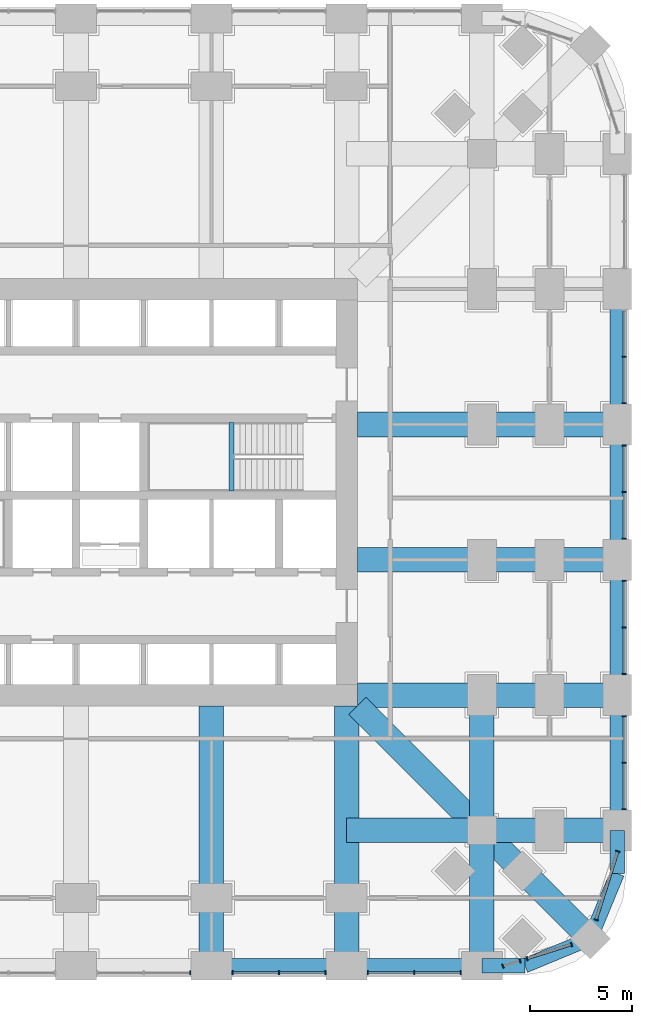
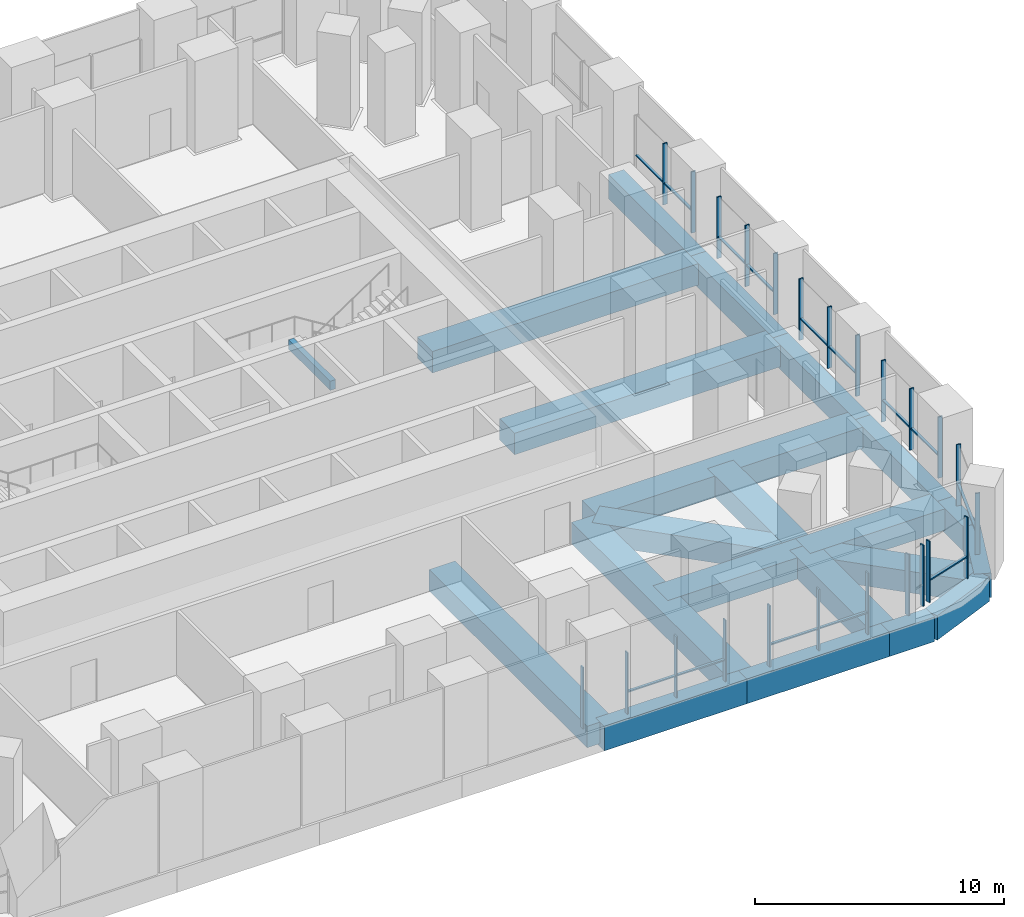
# One storey, part 4 of 17: 38 members, 22 beams, 10 elements without a shape of their own.
"""IFC4 building model written with IfcOpenShell, lengths in metres."""

from ifc_helpers import new_model, si_unit, direction, frame, origin, origin_2d, place, context, subcontext, project, spatial, rectangle, extrude, material, material_profile, profile_set, type_object, element, aggregate, save


model = new_model("IFC4")

# Units and contexts
model_context = context("Model", 3, precision=1e-05, world=origin(), true_north=direction((0.0, 1.0)))
body_context = subcontext(model_context, "Body", "Model", "MODEL_VIEW")
ifc_project = project(units=[si_unit("LENGTHUNIT", "METRE"), si_unit("AREAUNIT", "SQUARE_METRE"), si_unit("VOLUMEUNIT", "CUBIC_METRE"), si_unit("PLANEANGLEUNIT", "RADIAN"), si_unit("MASSUNIT", "GRAM", prefix="KILO")], contexts=[model_context])

# Site, building, storey
site_placement = place(None, origin())
site = spatial("IfcSite", under=ifc_project, at=site_placement, CompositionType="ELEMENT")
building_placement = place(site_placement, origin())
building = spatial("IfcBuilding", under=site, at=building_placement, Name="Cobogo Forest Laboratory Tower", CompositionType="ELEMENT")
storey_placement = place(building_placement, frame((0.0, 0.0, 12.60009765625)))
storey = spatial("IfcBuildingStorey", under=building, at=storey_placement, Name="L02", CompositionType="ELEMENT", Elevation=12.60009765625)

# Beams
ifc_material_1 = material(Name="Concrete HA-40 (C40/50)", Category="concrete")
ifc_material_profile_1 = material_profile(ifc_material_1, rectangle(XDim=0.25, YDim=0.449951171875, at=origin_2d()), Name="RC 250x450")
ifc_profile_set_1 = profile_set([ifc_material_profile_1], Name="Concrete HA-40 (C40/50)")
beam_type_1 = type_object("IfcBeamType", Name="LB1 landing beam 250x450", PredefinedType="BEAM", material=ifc_profile_set_1)
beam_1_placement = place(storey_placement, frame((33.989990234375, 23.14990234375, 1.824951171875), z_axis=(0.0, 1.0, 0.0), x_axis=(-1.0, 0.0, 0.0)))
element("IfcBeam", 1, at=beam_1_placement, inside=storey, type_object=beam_type_1, Name="Landing beam ST2 L02", PredefinedType="BEAM", context=body_context, shape_type="SweptSolid", body=[
    extrude(rectangle(XDim=0.25, YDim=0.449951171875, at=origin_2d()), origin(), (0.0, 0.0, 1.0), 3.35009765625),
])
ifc_material_profile_2 = material_profile(ifc_material_1, rectangle(XDim=1.199951171875, YDim=1.050048828125, at=origin_2d()), Name="RC 1200x1050")
ifc_profile_set_2 = profile_set([ifc_material_profile_2], Name="Concrete HA-40 (C40/50)")
beam_type_2 = type_object("IfcBeamType", Name="Laboratory floor wide beam 1200x1050", PredefinedType="BEAM", material=ifc_profile_set_2)
for number, where, z_axis, x_axis, name in (
    (2, (33.0, 12.675048828125, -0.8251953125), (0.0, -1.0, 0.0), (1.0, 0.0, 0.0), "RB1 R-6-S L02"),
    (3, (39.60009765625, 12.675048828125, -0.8251953125), (0.0, -1.0, 0.0), (1.0, 0.0, 0.0), "RB1 R-7-S L02"),
    (4, (40.125, 13.199951171875, -0.8251953125), (1.0, 0.0, 0.0), (0.0, 1.0, 0.0), "RB1 R-C-E L02"),
    (5, (40.125, 19.800048828125, -0.8251953125), (1.0, 0.0, 0.0), (0.0, 1.0, 0.0), "RB1 R-D-E L02"),
    (6, (40.125, 26.39990234375, -0.8251953125), (1.0, 0.0, 0.0), (0.0, 1.0, 0.0), "RB1 R-E-E L02"),
):
    element("IfcBeam", number, at=place(storey_placement, frame(where, z_axis=z_axis, x_axis=x_axis)), inside=storey, type_object=beam_type_2, Name=name, PredefinedType="BEAM", context=body_context, shape_type="SweptSolid", body=[
        extrude(rectangle(XDim=1.199951171875, YDim=1.050048828125, at=origin_2d()), origin(), (0.0, 0.0, 1.0), 12.675048828125),
    ])
beam_2_placement = place(storey_placement, frame((46.199951171875, 0.0, -0.8251953125), z_axis=(0.0, 1.0, 0.0), x_axis=(-1.0, 0.0, 0.0)))
element("IfcBeam", 7, at=beam_2_placement, inside=storey, type_object=beam_type_2, Name="RB1 G-SE-XF L02", PredefinedType="BEAM", context=body_context, shape_type="SweptSolid", body=[
    extrude(rectangle(XDim=1.199951171875, YDim=1.050048828125, at=origin_2d()), origin(), (0.0, 0.0, 1.0), 6.60009765625),
])
beam_3_placement = place(storey_placement, frame((46.199951171875, 6.60009765625, -0.8251953125), z_axis=(0.0, 1.0, 0.0), x_axis=(-1.0, 0.0, 0.0)))
element("IfcBeam", 8, at=beam_3_placement, inside=storey, type_object=beam_type_2, Name="RB1 G-SE-XC L02", PredefinedType="BEAM", context=body_context, shape_type="SweptSolid", body=[
    extrude(rectangle(XDim=1.199951171875, YDim=1.050048828125, at=origin_2d()), origin(), (0.0, 0.0, 1.0), 6.599853515625),
])
beam_4_placement = place(storey_placement, frame((52.800048828125, 6.60009765625, -0.8251953125), z_axis=(-1.0, 0.0, 0.0), x_axis=(0.0, -1.0, 0.0)))
element("IfcBeam", 9, at=beam_4_placement, inside=storey, type_object=beam_type_2, Name="RB1 G-SE-YF L02", PredefinedType="BEAM", context=body_context, shape_type="SweptSolid", body=[
    extrude(rectangle(XDim=1.199951171875, YDim=1.050048828125, at=origin_2d()), origin(), (0.0, 0.0, 1.0), 6.60009765625),
])
beam_5_placement = place(storey_placement, frame((46.199951171875, 6.60009765625, -0.8251953125), z_axis=(-1.0, 0.0, 0.0), x_axis=(0.0, -1.0, 0.0)))
element("IfcBeam", 10, at=beam_5_placement, inside=storey, type_object=beam_type_2, Name="RB1 G-SE-YC L02", PredefinedType="BEAM", context=body_context, shape_type="SweptSolid", body=[
    extrude(rectangle(XDim=1.199951171875, YDim=1.050048828125, at=origin_2d()), origin(), (0.0, 0.0, 1.0), 6.599853515625),
])
beam_6_placement = place(storey_placement, frame((51.48193359375, 1.318115234375, -0.8251953125), z_axis=(-0.707106781187, 0.707106781187, 0.0), x_axis=(-0.707106781187, -0.707106781187, 0.0)))
element("IfcBeam", 11, at=beam_6_placement, inside=storey, type_object=beam_type_2, Name="RB1 G-SE-D1 L02", PredefinedType="BEAM", context=body_context, shape_type="SweptSolid", body=[
    extrude(rectangle(XDim=1.199951171875, YDim=1.050048828125, at=origin_2d()), origin(), (0.0, 0.0, 1.0), 7.469970703125),
])
beam_7_placement = place(storey_placement, frame((46.199951171875, 6.60009765625, -0.8251953125), z_axis=(-0.707106781187, 0.707106781187, 0.0), x_axis=(-0.707106781187, -0.707106781187, 0.0)))
element("IfcBeam", 12, at=beam_7_placement, inside=storey, type_object=beam_type_2, Name="RB1 G-SE-D2 L02", PredefinedType="BEAM", context=body_context, shape_type="SweptSolid", body=[
    extrude(rectangle(XDim=1.199951171875, YDim=1.050048828125, at=origin_2d()), origin(), (0.0, 0.0, 1.0), 8.59130859375),
])

# Curtain wall, member
ifc_material_2 = material(Name="Aluminium curtain wall", Category="aluminium")
curtain_wall_type = type_object("IfcCurtainWallType", Name="CW-K stick curtain wall, podium laboratories", PredefinedType="USERDEFINED", material=ifc_material_2)
curtain_wall_1_placement = place(storey_placement, origin())
curtain_wall_1 = element("IfcCurtainWall", 13, at=curtain_wall_1_placement, inside=storey, type_object=curtain_wall_type, Name="Curtain wall 04 L02", ObjectType="STICK CURTAIN WALL", PredefinedType="USERDEFINED")
ifc_material_3 = material(Name="Aluminium mullion", Category="aluminium")
ifc_material_profile_3 = material_profile(ifc_material_3, rectangle(XDim=0.06005859375, YDim=0.199951171875, at=origin_2d()), Name="AL 60x200")
ifc_profile_set_3 = profile_set([ifc_material_profile_3], Name="Aluminium mullion")
member_type_1 = type_object("IfcMemberType", Name="MU-2 aluminium mullion 60x200", PredefinedType="MULLION", material=ifc_profile_set_3)
member_1_placement = place(storey_placement, frame((31.969970703125, -0.35009765625, 0.0), z_axis=(0.0, 0.0, 1.0), x_axis=(1.0, 0.0, 0.0)))
member_1 = element("IfcMember", 14, at=member_1_placement, type_object=member_type_1, Name="CW-K mullion 3", PredefinedType="MULLION", context=body_context, shape_type="SweptSolid", body=[
    extrude(rectangle(XDim=0.06005859375, YDim=0.199951171875, at=origin_2d()), origin(), (0.0, 0.0, 1.0), 3.0),
])
aggregate(curtain_wall_1, [member_1])

# Curtain wall, members
curtain_wall_2_placement = place(storey_placement, origin())
curtain_wall_2 = element("IfcCurtainWall", 15, at=curtain_wall_2_placement, inside=storey, type_object=curtain_wall_type, Name="Curtain wall 05 L02", ObjectType="STICK CURTAIN WALL", PredefinedType="USERDEFINED")
member_2_placement = place(storey_placement, frame((34.030029296875, -0.35009765625, 0.0), z_axis=(0.0, 0.0, 1.0), x_axis=(1.0, 0.0, 0.0)))
member_2 = element("IfcMember", 16, at=member_2_placement, type_object=member_type_1, Name="CW-K mullion 1", PredefinedType="MULLION", context=body_context, shape_type="SweptSolid", body=[
    extrude(rectangle(XDim=0.06005859375, YDim=0.199951171875, at=origin_2d()), origin(), (0.0, 0.0, 1.0), 3.0),
])
member_3_placement = place(storey_placement, frame((36.300048828125, -0.35009765625, 0.0), z_axis=(0.0, 0.0, 1.0), x_axis=(1.0, 0.0, 0.0)))
member_3 = element("IfcMember", 17, at=member_3_placement, type_object=member_type_1, Name="CW-K mullion 2", PredefinedType="MULLION", context=body_context, shape_type="SweptSolid", body=[
    extrude(rectangle(XDim=0.06005859375, YDim=0.199951171875, at=origin_2d()), origin(), (0.0, 0.0, 1.0), 3.0),
])
member_4_placement = place(storey_placement, frame((38.570068359375, -0.35009765625, 0.0), z_axis=(0.0, 0.0, 1.0), x_axis=(1.0, 0.0, 0.0)))
member_4 = element("IfcMember", 18, at=member_4_placement, type_object=member_type_1, Name="CW-K mullion 3", PredefinedType="MULLION", context=body_context, shape_type="SweptSolid", body=[
    extrude(rectangle(XDim=0.06005859375, YDim=0.199951171875, at=origin_2d()), origin(), (0.0, 0.0, 1.0), 3.0),
])

curtain_wall_3_placement = place(storey_placement, origin())
curtain_wall_3 = element("IfcCurtainWall", 19, at=curtain_wall_3_placement, inside=storey, type_object=curtain_wall_type, Name="Curtain wall 06 L02", ObjectType="STICK CURTAIN WALL", PredefinedType="USERDEFINED")
member_5_placement = place(storey_placement, frame((40.6298828125, -0.35009765625, 0.0), z_axis=(0.0, 0.0, 1.0), x_axis=(1.0, 0.0, 0.0)))
member_5 = element("IfcMember", 20, at=member_5_placement, type_object=member_type_1, Name="CW-K mullion 1", PredefinedType="MULLION", context=body_context, shape_type="SweptSolid", body=[
    extrude(rectangle(XDim=0.06005859375, YDim=0.199951171875, at=origin_2d()), origin(), (0.0, 0.0, 1.0), 3.0),
])
member_6_placement = place(storey_placement, frame((42.89990234375, -0.35009765625, 0.0), z_axis=(0.0, 0.0, 1.0), x_axis=(1.0, 0.0, 0.0)))
member_6 = element("IfcMember", 21, at=member_6_placement, type_object=member_type_1, Name="CW-K mullion 2", PredefinedType="MULLION", context=body_context, shape_type="SweptSolid", body=[
    extrude(rectangle(XDim=0.06005859375, YDim=0.199951171875, at=origin_2d()), origin(), (0.0, 0.0, 1.0), 3.0),
])
member_7_placement = place(storey_placement, frame((45.169921875, -0.35009765625, 0.0), z_axis=(0.0, 0.0, 1.0), x_axis=(1.0, 0.0, 0.0)))
member_7 = element("IfcMember", 22, at=member_7_placement, type_object=member_type_1, Name="CW-K mullion 3", PredefinedType="MULLION", context=body_context, shape_type="SweptSolid", body=[
    extrude(rectangle(XDim=0.06005859375, YDim=0.199951171875, at=origin_2d()), origin(), (0.0, 0.0, 1.0), 3.0),
])

curtain_wall_4_placement = place(storey_placement, origin())
curtain_wall_4 = element("IfcCurtainWall", 23, at=curtain_wall_4_placement, inside=storey, type_object=curtain_wall_type, Name="Curtain wall 07 L02", ObjectType="STICK CURTAIN WALL", PredefinedType="USERDEFINED")
member_8_placement = place(storey_placement, frame((47.228515625, -0.025146484375, 0.0), z_axis=(0.0, 0.0, 1.0), x_axis=(0.953581406818, 0.301135352577, 0.0)))
member_8 = element("IfcMember", 24, at=member_8_placement, type_object=member_type_1, Name="CW-K mullion 1", PredefinedType="MULLION", context=body_context, shape_type="SweptSolid", body=[
    extrude(rectangle(XDim=0.06005859375, YDim=0.199951171875, at=origin_2d()), origin(), (0.0, 0.0, 1.0), 3.0),
])
member_9_placement = place(storey_placement, frame((48.05322265625, 0.2353515625, 0.0), z_axis=(0.0, 0.0, 1.0), x_axis=(0.953581406818, 0.301135352577, 0.0)))
member_9 = element("IfcMember", 25, at=member_9_placement, type_object=member_type_1, Name="CW-K mullion 2", PredefinedType="MULLION", context=body_context, shape_type="SweptSolid", body=[
    extrude(rectangle(XDim=0.06005859375, YDim=0.199951171875, at=origin_2d()), origin(), (0.0, 0.0, 1.0), 3.0),
])
aggregate(curtain_wall_4, [member_8, member_9])

curtain_wall_5_placement = place(storey_placement, origin())
curtain_wall_5 = element("IfcCurtainWall", 26, at=curtain_wall_5_placement, inside=storey, type_object=curtain_wall_type, Name="Curtain wall 08 L02", ObjectType="STICK CURTAIN WALL", PredefinedType="USERDEFINED")
member_10_placement = place(storey_placement, frame((48.403076171875, 0.345703125, 0.0), z_axis=(0.0, 0.0, 1.0), x_axis=(0.953581409645, 0.301135343623, 0.0)))
member_10 = element("IfcMember", 27, at=member_10_placement, type_object=member_type_1, Name="CW-K mullion 1", PredefinedType="MULLION", context=body_context, shape_type="SweptSolid", body=[
    extrude(rectangle(XDim=0.06005859375, YDim=0.199951171875, at=origin_2d()), origin(), (0.0, 0.0, 1.0), 3.0),
])
member_11_placement = place(storey_placement, frame((50.561279296875, 1.02734375, 0.0), z_axis=(0.0, 0.0, 1.0), x_axis=(0.953581409645, 0.301135343623, 0.0)))
member_11 = element("IfcMember", 28, at=member_11_placement, type_object=member_type_1, Name="CW-K mullion 2", PredefinedType="MULLION", context=body_context, shape_type="SweptSolid", body=[
    extrude(rectangle(XDim=0.06005859375, YDim=0.199951171875, at=origin_2d()), origin(), (0.0, 0.0, 1.0), 3.0),
])

curtain_wall_6_placement = place(storey_placement, origin())
curtain_wall_6 = element("IfcCurtainWall", 29, at=curtain_wall_6_placement, inside=storey, type_object=curtain_wall_type, Name="Curtain wall 09 L02", ObjectType="STICK CURTAIN WALL", PredefinedType="USERDEFINED")
member_12_placement = place(storey_placement, frame((51.772705078125, 2.23876953125, 0.0), z_axis=(0.0, 0.0, 1.0), x_axis=(0.301135433696, 0.953581381201, 0.0)))
member_12 = element("IfcMember", 30, at=member_12_placement, type_object=member_type_1, Name="CW-K mullion 1", PredefinedType="MULLION", context=body_context, shape_type="SweptSolid", body=[
    extrude(rectangle(XDim=0.06005859375, YDim=0.199951171875, at=origin_2d()), origin(), (0.0, 0.0, 1.0), 3.0),
])
member_13_placement = place(storey_placement, frame((52.8251953125, 5.5712890625, 0.0), z_axis=(0.0, 0.0, 1.0), x_axis=(0.301135433696, 0.953581381201, 0.0)))
member_13 = element("IfcMember", 31, at=member_13_placement, type_object=member_type_1, Name="CW-K mullion 2", PredefinedType="MULLION", context=body_context, shape_type="SweptSolid", body=[
    extrude(rectangle(XDim=0.06005859375, YDim=0.199951171875, at=origin_2d()), origin(), (0.0, 0.0, 1.0), 3.0),
])

curtain_wall_7_placement = place(storey_placement, origin())
curtain_wall_7 = element("IfcCurtainWall", 32, at=curtain_wall_7_placement, inside=storey, type_object=curtain_wall_type, Name="Curtain wall 10 L02", ObjectType="STICK CURTAIN WALL", PredefinedType="USERDEFINED")
member_14_placement = place(storey_placement, frame((53.14990234375, 7.6298828125, 0.0), z_axis=(0.0, 0.0, 1.0), x_axis=(0.0, 1.0, 0.0)))
member_14 = element("IfcMember", 33, at=member_14_placement, type_object=member_type_1, Name="CW-K mullion 1", PredefinedType="MULLION", context=body_context, shape_type="SweptSolid", body=[
    extrude(rectangle(XDim=0.06005859375, YDim=0.199951171875, at=origin_2d()), origin(), (0.0, 0.0, 1.0), 3.0),
])
member_15_placement = place(storey_placement, frame((53.14990234375, 9.89990234375, 0.0), z_axis=(0.0, 0.0, 1.0), x_axis=(0.0, 1.0, 0.0)))
member_15 = element("IfcMember", 34, at=member_15_placement, type_object=member_type_1, Name="CW-K mullion 2", PredefinedType="MULLION", context=body_context, shape_type="SweptSolid", body=[
    extrude(rectangle(XDim=0.06005859375, YDim=0.199951171875, at=origin_2d()), origin(), (0.0, 0.0, 1.0), 3.0),
])
member_16_placement = place(storey_placement, frame((53.14990234375, 12.169921875, 0.0), z_axis=(0.0, 0.0, 1.0), x_axis=(0.0, 1.0, 0.0)))
member_16 = element("IfcMember", 35, at=member_16_placement, type_object=member_type_1, Name="CW-K mullion 3", PredefinedType="MULLION", context=body_context, shape_type="SweptSolid", body=[
    extrude(rectangle(XDim=0.06005859375, YDim=0.199951171875, at=origin_2d()), origin(), (0.0, 0.0, 1.0), 3.0),
])

curtain_wall_8_placement = place(storey_placement, origin())
curtain_wall_8 = element("IfcCurtainWall", 36, at=curtain_wall_8_placement, inside=storey, type_object=curtain_wall_type, Name="Curtain wall 11 L02", ObjectType="STICK CURTAIN WALL", PredefinedType="USERDEFINED")
member_17_placement = place(storey_placement, frame((53.14990234375, 14.22998046875, 0.0), z_axis=(0.0, 0.0, 1.0), x_axis=(0.0, 1.0, 0.0)))
member_17 = element("IfcMember", 37, at=member_17_placement, type_object=member_type_1, Name="CW-K mullion 1", PredefinedType="MULLION", context=body_context, shape_type="SweptSolid", body=[
    extrude(rectangle(XDim=0.06005859375, YDim=0.199951171875, at=origin_2d()), origin(), (0.0, 0.0, 1.0), 3.0),
])
member_18_placement = place(storey_placement, frame((53.14990234375, 16.5, 0.0), z_axis=(0.0, 0.0, 1.0), x_axis=(0.0, 1.0, 0.0)))
member_18 = element("IfcMember", 38, at=member_18_placement, type_object=member_type_1, Name="CW-K mullion 2", PredefinedType="MULLION", context=body_context, shape_type="SweptSolid", body=[
    extrude(rectangle(XDim=0.06005859375, YDim=0.199951171875, at=origin_2d()), origin(), (0.0, 0.0, 1.0), 3.0),
])
member_19_placement = place(storey_placement, frame((53.14990234375, 18.77001953125, 0.0), z_axis=(0.0, 0.0, 1.0), x_axis=(0.0, 1.0, 0.0)))
member_19 = element("IfcMember", 39, at=member_19_placement, type_object=member_type_1, Name="CW-K mullion 3", PredefinedType="MULLION", context=body_context, shape_type="SweptSolid", body=[
    extrude(rectangle(XDim=0.06005859375, YDim=0.199951171875, at=origin_2d()), origin(), (0.0, 0.0, 1.0), 3.0),
])

curtain_wall_9_placement = place(storey_placement, origin())
curtain_wall_9 = element("IfcCurtainWall", 40, at=curtain_wall_9_placement, inside=storey, type_object=curtain_wall_type, Name="Curtain wall 12 L02", ObjectType="STICK CURTAIN WALL", PredefinedType="USERDEFINED")
member_20_placement = place(storey_placement, frame((53.14990234375, 20.830078125, 0.0), z_axis=(0.0, 0.0, 1.0), x_axis=(0.0, 1.0, 0.0)))
member_20 = element("IfcMember", 41, at=member_20_placement, type_object=member_type_1, Name="CW-K mullion 1", PredefinedType="MULLION", context=body_context, shape_type="SweptSolid", body=[
    extrude(rectangle(XDim=0.06005859375, YDim=0.199951171875, at=origin_2d()), origin(), (0.0, 0.0, 1.0), 3.0),
])
member_21_placement = place(storey_placement, frame((53.14990234375, 23.10009765625, 0.0), z_axis=(0.0, 0.0, 1.0), x_axis=(0.0, 1.0, 0.0)))
member_21 = element("IfcMember", 42, at=member_21_placement, type_object=member_type_1, Name="CW-K mullion 2", PredefinedType="MULLION", context=body_context, shape_type="SweptSolid", body=[
    extrude(rectangle(XDim=0.06005859375, YDim=0.199951171875, at=origin_2d()), origin(), (0.0, 0.0, 1.0), 3.0),
])
member_22_placement = place(storey_placement, frame((53.14990234375, 25.3701171875, 0.0), z_axis=(0.0, 0.0, 1.0), x_axis=(0.0, 1.0, 0.0)))
member_22 = element("IfcMember", 43, at=member_22_placement, type_object=member_type_1, Name="CW-K mullion 3", PredefinedType="MULLION", context=body_context, shape_type="SweptSolid", body=[
    extrude(rectangle(XDim=0.06005859375, YDim=0.199951171875, at=origin_2d()), origin(), (0.0, 0.0, 1.0), 3.0),
])

curtain_wall_10_placement = place(storey_placement, origin())
curtain_wall_10 = element("IfcCurtainWall", 44, at=curtain_wall_10_placement, inside=storey, type_object=curtain_wall_type, Name="Curtain wall 13 L02", ObjectType="STICK CURTAIN WALL", PredefinedType="USERDEFINED")
member_23_placement = place(storey_placement, frame((53.14990234375, 27.429931640625, 0.0), z_axis=(0.0, 0.0, 1.0), x_axis=(0.0, 1.0, 0.0)))
member_23 = element("IfcMember", 45, at=member_23_placement, type_object=member_type_1, Name="CW-K mullion 1", PredefinedType="MULLION", context=body_context, shape_type="SweptSolid", body=[
    extrude(rectangle(XDim=0.06005859375, YDim=0.199951171875, at=origin_2d()), origin(), (0.0, 0.0, 1.0), 3.0),
])
member_24_placement = place(storey_placement, frame((53.14990234375, 29.699951171875, 0.0), z_axis=(0.0, 0.0, 1.0), x_axis=(0.0, 1.0, 0.0)))
member_24 = element("IfcMember", 46, at=member_24_placement, type_object=member_type_1, Name="CW-K mullion 2", PredefinedType="MULLION", context=body_context, shape_type="SweptSolid", body=[
    extrude(rectangle(XDim=0.06005859375, YDim=0.199951171875, at=origin_2d()), origin(), (0.0, 0.0, 1.0), 3.0),
])

# Beams
ifc_material_profile_4 = material_profile(ifc_material_1, rectangle(XDim=0.699951171875, YDim=1.199951171875, at=origin_2d()), Name="RC 700x1200")
ifc_profile_set_4 = profile_set([ifc_material_profile_4], Name="Concrete HA-40 (C40/50)")
beam_type_3 = type_object("IfcBeamType", Name="Perimeter edge beam 700x1200", PredefinedType="BEAM", material=ifc_profile_set_4)
beam_8_placement = place(storey_placement, frame((33.0, 0.0, -0.900146484375), z_axis=(1.0, 0.0, 0.0), x_axis=(0.0, 1.0, 0.0)))
element("IfcBeam", 47, at=beam_8_placement, inside=storey, type_object=beam_type_3, Name="EB1 E-S5 L02", PredefinedType="BEAM", context=body_context, shape_type="SweptSolid", body=[
    extrude(rectangle(XDim=0.699951171875, YDim=1.199951171875, at=origin_2d()), origin(), (0.0, 0.0, 1.0), 6.60009765625),
])
for number, where, z_axis, x_axis, name in (
    (48, (39.60009765625, 0.0, -0.900146484375), (1.0, 0.0, 0.0), (0.0, 1.0, 0.0), "EB1 E-S6 L02"),
    (49, (52.800048828125, 6.60009765625, -0.900146484375), (0.0, 1.0, 0.0), (-1.0, 0.0, 0.0), "EB1 E-E1 L02"),
):
    element("IfcBeam", number, at=place(storey_placement, frame(where, z_axis=z_axis, x_axis=x_axis)), inside=storey, type_object=beam_type_3, Name=name, PredefinedType="BEAM", context=body_context, shape_type="SweptSolid", body=[
        extrude(rectangle(XDim=0.699951171875, YDim=1.199951171875, at=origin_2d()), origin(), (0.0, 0.0, 1.0), 6.599853515625),
    ])
beam_9_placement = place(storey_placement, frame((52.800048828125, 13.199951171875, -0.900146484375), z_axis=(0.0, 1.0, 0.0), x_axis=(-1.0, 0.0, 0.0)))
element("IfcBeam", 50, at=beam_9_placement, inside=storey, type_object=beam_type_3, Name="EB1 E-E2 L02", PredefinedType="BEAM", context=body_context, shape_type="SweptSolid", body=[
    extrude(rectangle(XDim=0.699951171875, YDim=1.199951171875, at=origin_2d()), origin(), (0.0, 0.0, 1.0), 6.60009765625),
])
beam_10_placement = place(storey_placement, frame((52.800048828125, 19.800048828125, -0.900146484375), z_axis=(0.0, 1.0, 0.0), x_axis=(-1.0, 0.0, 0.0)))
element("IfcBeam", 51, at=beam_10_placement, inside=storey, type_object=beam_type_3, Name="EB1 E-E3 L02", PredefinedType="BEAM", context=body_context, shape_type="SweptSolid", body=[
    extrude(rectangle(XDim=0.699951171875, YDim=1.199951171875, at=origin_2d()), origin(), (0.0, 0.0, 1.0), 6.599853515625),
])
beam_11_placement = place(storey_placement, frame((52.800048828125, 26.39990234375, -0.900146484375), z_axis=(0.0, 1.0, 0.0), x_axis=(-1.0, 0.0, 0.0)))
element("IfcBeam", 52, at=beam_11_placement, inside=storey, type_object=beam_type_3, Name="EB1 E-E4 L02", PredefinedType="BEAM", context=body_context, shape_type="SweptSolid", body=[
    extrude(rectangle(XDim=0.699951171875, YDim=1.199951171875, at=origin_2d()), origin(), (0.0, 0.0, 1.0), 6.60009765625),
])
beam_12_placement = place(storey_placement, frame((46.199951171875, 0.0, -0.900146484375), z_axis=(1.0, 0.0, 0.0), x_axis=(0.0, 1.0, 0.0)))
element("IfcBeam", 53, at=beam_12_placement, inside=storey, type_object=beam_type_3, Name="EB1 E-SES1 L02", PredefinedType="BEAM", context=body_context, shape_type="SweptSolid", body=[
    extrude(rectangle(XDim=0.699951171875, YDim=1.199951171875, at=origin_2d()), origin(), (0.0, 0.0, 1.0), 2.10009765625),
])
beam_13_placement = place(storey_placement, frame((48.300048828125, 0.0, -0.900146484375), z_axis=(0.923865631356, 0.382716990999, 0.0), x_axis=(-0.382716990999, 0.923865631356, 0.0)))
element("IfcBeam", 54, at=beam_13_placement, inside=storey, type_object=beam_type_3, Name="EB1 E-SES2 L02", PredefinedType="BEAM", context=body_context, shape_type="SweptSolid", body=[
    extrude(rectangle(XDim=0.699951171875, YDim=1.199951171875, at=origin_2d()), origin(), (0.0, 0.0, 1.0), 3.444091796875),
])
beam_14_placement = place(storey_placement, frame((52.800048828125, 6.60009765625, -0.900146484375), z_axis=(0.0, -1.0, 0.0), x_axis=(1.0, 0.0, 0.0)))
element("IfcBeam", 55, at=beam_14_placement, inside=storey, type_object=beam_type_3, Name="EB1 E-SEE1 L02", PredefinedType="BEAM", context=body_context, shape_type="SweptSolid", body=[
    extrude(rectangle(XDim=0.699951171875, YDim=1.199951171875, at=origin_2d()), origin(), (0.0, 0.0, 1.0), 2.10009765625),
])
beam_15_placement = place(storey_placement, frame((52.800048828125, 4.5, -0.900146484375), z_axis=(-0.382716990999, -0.923865631356, 0.0), x_axis=(0.923865631356, -0.382716990999, 0.0)))
element("IfcBeam", 56, at=beam_15_placement, inside=storey, type_object=beam_type_3, Name="EB1 E-SEE2 L02", PredefinedType="BEAM", context=body_context, shape_type="SweptSolid", body=[
    extrude(rectangle(XDim=0.699951171875, YDim=1.199951171875, at=origin_2d()), origin(), (0.0, 0.0, 1.0), 3.444091796875),
])

# Member
ifc_material_4 = material(Name="Aluminium transom", Category="aluminium")
ifc_material_profile_5 = material_profile(ifc_material_4, rectangle(XDim=0.1201171875, YDim=0.06005859375, at=origin_2d()), Name="AL 60x120")
ifc_profile_set_5 = profile_set([ifc_material_profile_5], Name="Aluminium transom")
member_type_2 = type_object("IfcMemberType", Name="TR-1 aluminium transom 60x120", PredefinedType="USERDEFINED", material=ifc_profile_set_5)
member_25_placement = place(storey_placement, frame((34.06005859375, -0.35009765625, 1.0498046875), z_axis=(1.0, 0.0, 0.0), x_axis=(0.0, 1.0, 0.0)))
member_25 = element("IfcMember", 57, at=member_25_placement, type_object=member_type_2, Name="CW-K transom 1.1", ObjectType="TRANSOM", PredefinedType="USERDEFINED", context=body_context, shape_type="SweptSolid", body=[
    extrude(rectangle(XDim=0.1201171875, YDim=0.06005859375, at=origin_2d()), origin(), (0.0, 0.0, 1.0), 2.2099609375),
])

member_26_placement = place(storey_placement, frame((36.330078125, -0.35009765625, 1.0498046875), z_axis=(1.0, 0.0, 0.0), x_axis=(0.0, 1.0, 0.0)))
member_26 = element("IfcMember", 58, at=member_26_placement, type_object=member_type_2, Name="CW-K transom 2.1", ObjectType="TRANSOM", PredefinedType="USERDEFINED", context=body_context, shape_type="SweptSolid", body=[
    extrude(rectangle(XDim=0.1201171875, YDim=0.06005859375, at=origin_2d()), origin(), (0.0, 0.0, 1.0), 2.2099609375),
])

aggregate(curtain_wall_2, [member_2, member_3, member_4, member_25, member_26])

member_27_placement = place(storey_placement, frame((40.659912109375, -0.35009765625, 1.0498046875), z_axis=(1.0, 0.0, 0.0), x_axis=(0.0, 1.0, 0.0)))
member_27 = element("IfcMember", 59, at=member_27_placement, type_object=member_type_2, Name="CW-K transom 1.1", ObjectType="TRANSOM", PredefinedType="USERDEFINED", context=body_context, shape_type="SweptSolid", body=[
    extrude(rectangle(XDim=0.1201171875, YDim=0.06005859375, at=origin_2d()), origin(), (0.0, 0.0, 1.0), 2.210205078125),
])

member_28_placement = place(storey_placement, frame((42.929931640625, -0.35009765625, 1.0498046875), z_axis=(1.0, 0.0, 0.0), x_axis=(0.0, 1.0, 0.0)))
member_28 = element("IfcMember", 60, at=member_28_placement, type_object=member_type_2, Name="CW-K transom 2.1", ObjectType="TRANSOM", PredefinedType="USERDEFINED", context=body_context, shape_type="SweptSolid", body=[
    extrude(rectangle(XDim=0.1201171875, YDim=0.06005859375, at=origin_2d()), origin(), (0.0, 0.0, 1.0), 2.2099609375),
])

aggregate(curtain_wall_3, [member_5, member_6, member_7, member_27, member_28])

member_29_placement = place(storey_placement, frame((48.431640625, 0.354736328125, 1.0498046875), z_axis=(0.953572616955, 0.301163185322, 0.0), x_axis=(-0.301163185322, 0.953572616955, 0.0)))
member_29 = element("IfcMember", 61, at=member_29_placement, type_object=member_type_2, Name="CW-K transom 1.1", ObjectType="TRANSOM", PredefinedType="USERDEFINED", context=body_context, shape_type="SweptSolid", body=[
    extrude(rectangle(XDim=0.1201171875, YDim=0.06005859375, at=origin_2d()), origin(), (0.0, 0.0, 1.0), 2.203369140625),
])

aggregate(curtain_wall_5, [member_10, member_11, member_29])

member_30_placement = place(storey_placement, frame((51.78173828125, 2.267333984375, 1.0498046875), z_axis=(0.301155179686, 0.953575145308, 0.0), x_axis=(-0.953575145308, 0.301155179686, 0.0)))
member_30 = element("IfcMember", 62, at=member_30_placement, type_object=member_type_2, Name="CW-K transom 1.1", ObjectType="TRANSOM", PredefinedType="USERDEFINED", context=body_context, shape_type="SweptSolid", body=[
    extrude(rectangle(XDim=0.1201171875, YDim=0.06005859375, at=origin_2d()), origin(), (0.0, 0.0, 1.0), 3.434814453125),
])

aggregate(curtain_wall_6, [member_12, member_13, member_30])

member_31_placement = place(storey_placement, frame((53.14990234375, 7.659912109375, 1.0498046875), z_axis=(0.0, 1.0, 0.0), x_axis=(-1.0, 0.0, 0.0)))
member_31 = element("IfcMember", 63, at=member_31_placement, type_object=member_type_2, Name="CW-K transom 1.1", ObjectType="TRANSOM", PredefinedType="USERDEFINED", context=body_context, shape_type="SweptSolid", body=[
    extrude(rectangle(XDim=0.1201171875, YDim=0.06005859375, at=origin_2d()), origin(), (0.0, 0.0, 1.0), 2.210205078125),
])

member_32_placement = place(storey_placement, frame((53.14990234375, 9.929931640625, 1.0498046875), z_axis=(0.0, 1.0, 0.0), x_axis=(-1.0, 0.0, 0.0)))
member_32 = element("IfcMember", 64, at=member_32_placement, type_object=member_type_2, Name="CW-K transom 2.1", ObjectType="TRANSOM", PredefinedType="USERDEFINED", context=body_context, shape_type="SweptSolid", body=[
    extrude(rectangle(XDim=0.1201171875, YDim=0.06005859375, at=origin_2d()), origin(), (0.0, 0.0, 1.0), 2.2099609375),
])

aggregate(curtain_wall_7, [member_14, member_15, member_16, member_31, member_32])

member_33_placement = place(storey_placement, frame((53.14990234375, 14.260009765625, 1.0498046875), z_axis=(0.0, 1.0, 0.0), x_axis=(-1.0, 0.0, 0.0)))
member_33 = element("IfcMember", 65, at=member_33_placement, type_object=member_type_2, Name="CW-K transom 1.1", ObjectType="TRANSOM", PredefinedType="USERDEFINED", context=body_context, shape_type="SweptSolid", body=[
    extrude(rectangle(XDim=0.1201171875, YDim=0.06005859375, at=origin_2d()), origin(), (0.0, 0.0, 1.0), 2.2099609375),
])

member_34_placement = place(storey_placement, frame((53.14990234375, 16.530029296875, 1.0498046875), z_axis=(0.0, 1.0, 0.0), x_axis=(-1.0, 0.0, 0.0)))
member_34 = element("IfcMember", 66, at=member_34_placement, type_object=member_type_2, Name="CW-K transom 2.1", ObjectType="TRANSOM", PredefinedType="USERDEFINED", context=body_context, shape_type="SweptSolid", body=[
    extrude(rectangle(XDim=0.1201171875, YDim=0.06005859375, at=origin_2d()), origin(), (0.0, 0.0, 1.0), 2.2099609375),
])

aggregate(curtain_wall_8, [member_17, member_18, member_19, member_33, member_34])

member_35_placement = place(storey_placement, frame((53.14990234375, 20.860107421875, 1.0498046875), z_axis=(0.0, 1.0, 0.0), x_axis=(-1.0, 0.0, 0.0)))
member_35 = element("IfcMember", 67, at=member_35_placement, type_object=member_type_2, Name="CW-K transom 1.1", ObjectType="TRANSOM", PredefinedType="USERDEFINED", context=body_context, shape_type="SweptSolid", body=[
    extrude(rectangle(XDim=0.1201171875, YDim=0.06005859375, at=origin_2d()), origin(), (0.0, 0.0, 1.0), 2.2099609375),
])

member_36_placement = place(storey_placement, frame((53.14990234375, 23.1298828125, 1.0498046875), z_axis=(0.0, 1.0, 0.0), x_axis=(-1.0, 0.0, 0.0)))
member_36 = element("IfcMember", 68, at=member_36_placement, type_object=member_type_2, Name="CW-K transom 2.1", ObjectType="TRANSOM", PredefinedType="USERDEFINED", context=body_context, shape_type="SweptSolid", body=[
    extrude(rectangle(XDim=0.1201171875, YDim=0.06005859375, at=origin_2d()), origin(), (0.0, 0.0, 1.0), 2.210205078125),
])

aggregate(curtain_wall_9, [member_20, member_21, member_22, member_35, member_36])

member_37_placement = place(storey_placement, frame((53.14990234375, 27.4599609375, 1.0498046875), z_axis=(0.0, 1.0, 0.0), x_axis=(-1.0, 0.0, 0.0)))
member_37 = element("IfcMember", 69, at=member_37_placement, type_object=member_type_2, Name="CW-K transom 1.1", ObjectType="TRANSOM", PredefinedType="USERDEFINED", context=body_context, shape_type="SweptSolid", body=[
    extrude(rectangle(XDim=0.1201171875, YDim=0.06005859375, at=origin_2d()), origin(), (0.0, 0.0, 1.0), 2.2099609375),
])

member_38_placement = place(storey_placement, frame((53.14990234375, 29.72998046875, 1.0498046875), z_axis=(0.0, 1.0, 0.0), x_axis=(-1.0, 0.0, 0.0)))
member_38 = element("IfcMember", 70, at=member_38_placement, type_object=member_type_2, Name="CW-K transom 2.1", ObjectType="TRANSOM", PredefinedType="USERDEFINED", context=body_context, shape_type="SweptSolid", body=[
    extrude(rectangle(XDim=0.1201171875, YDim=0.06005859375, at=origin_2d()), origin(), (0.0, 0.0, 1.0), 2.2099609375),
])

aggregate(curtain_wall_10, [member_23, member_24, member_37, member_38])

save(model, "model.ifc")
